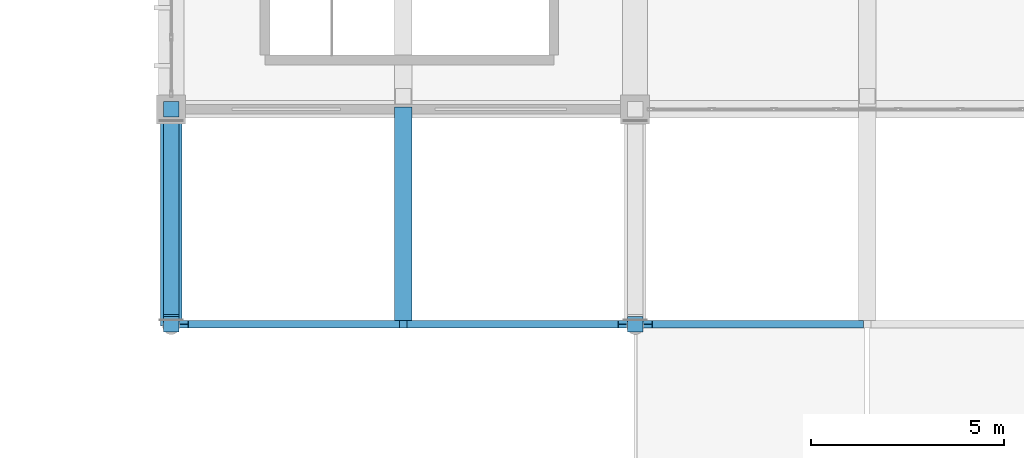
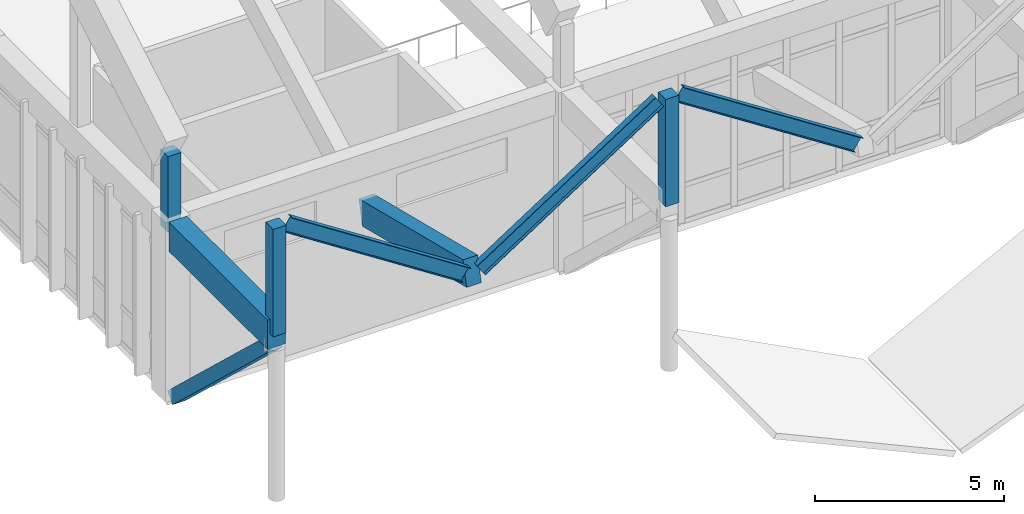
# One storey, part 27 of 236: 5 beams, 4 members.
"""IFC4 building model written with IfcOpenShell, lengths in metres."""

from ifc_helpers import new_model, si_unit, direction, frame, origin, origin_2d, place, context, subcontext, project, spatial, rectangle, i_section, extrude, material, material_profile, profile_set, type_object, element, save


model = new_model("IFC4")

# Units and contexts
model_context = context("Model", 3, precision=1e-05, world=origin(), true_north=direction((0.0, 1.0)))
body_context = subcontext(model_context, "Body", "Model", "MODEL_VIEW")
ifc_project = project(units=[si_unit("LENGTHUNIT", "METRE"), si_unit("AREAUNIT", "SQUARE_METRE"), si_unit("VOLUMEUNIT", "CUBIC_METRE"), si_unit("PLANEANGLEUNIT", "RADIAN"), si_unit("MASSUNIT", "GRAM", prefix="KILO")], contexts=[model_context])

# Site, building, storey
site_placement = place(None, origin())
site = spatial("IfcSite", under=ifc_project, at=site_placement, CompositionType="ELEMENT")
building_placement = place(site_placement, origin())
building = spatial("IfcBuilding", under=site, at=building_placement, Name="Pandanus Reach Market Hall", CompositionType="ELEMENT")
storey_placement = place(building_placement, frame((0.0, 0.0, 5.39990234375)))
storey = spatial("IfcBuildingStorey", under=building, at=storey_placement, Name="L01", CompositionType="ELEMENT", Elevation=5.39990234375)

# Members
ifc_material_1 = material(Name="Concrete N50 (50 MPa)", Category="concrete")
ifc_material_profile_1 = material_profile(ifc_material_1, rectangle(XDim=0.39990234375, YDim=0.39990234375, at=origin_2d()), Name="RC400x400", Category="LoadBearing")
ifc_profile_set_1 = profile_set([ifc_material_profile_1], Name="Concrete N50 (50 MPa)")
member_type_1 = type_object("IfcMemberType", Name="AR-WEB400-E", PredefinedType="STRUT", material=ifc_profile_set_1)
member_1_placement = place(storey_placement, frame((48.0, 28.800048828125, 5.3251953125), z_axis=(0.0, 0.0, 1.0), x_axis=(1.0, 0.0, 0.0)))
element("IfcMember", 1, at=member_1_placement, inside=storey, type_object=member_type_1, Name="Arch springing concrete strut A1.S", PredefinedType="STRUT", context=body_context, shape_type="SweptSolid", body=[
    extrude(rectangle(XDim=0.39990234375, YDim=0.39990234375, at=origin_2d()), origin(), (0.0, 0.0, 1.0), 2.454833984375),
])
for number, where, z_axis, x_axis, name in (
    (2, (48.0, 23.239990234375, 5.3251953125), (0.0, 0.0, 1.0), (1.0, 0.0, 0.0), "Zigzag eaves ridge post A1.S"),
    (3, (60.0, 23.239990234375, 5.3251953125), (0.0, 0.0, 1.0), (1.0, 0.0, 0.0), "Zigzag eaves ridge post A2.S"),
):
    element("IfcMember", number, at=place(storey_placement, frame(where, z_axis=z_axis, x_axis=x_axis)), inside=storey, type_object=member_type_1, Name=name, PredefinedType="STRUT", context=body_context, shape_type="SweptSolid", body=[
        extrude(rectangle(XDim=0.39990234375, YDim=0.39990234375, at=origin_2d()), origin(), (0.0, 0.0, 1.0), 3.474853515625),
    ])

# Beams
ifc_material_2 = material(Name="Concrete N40 (40 MPa)", Category="concrete")
ifc_material_profile_2 = material_profile(ifc_material_2, rectangle(XDim=0.449951171875, YDim=0.800048828125, at=origin_2d()), Name="RC450x800", Category="LoadBearing")
ifc_profile_set_2 = profile_set([ifc_material_profile_2], Name="Concrete N40 (40 MPa)")
beam_type_1 = type_object("IfcBeamType", Name="BM-RC450-I", PredefinedType="BEAM", material=ifc_profile_set_2)
beam_1_placement = place(storey_placement, frame((54.0, 23.239990234375, 5.16015625), z_axis=(0.0, 0.97055017704, -0.240899053231), x_axis=(-1.0, 0.0, 0.0)))
element("IfcBeam", 4, at=beam_1_placement, inside=storey, type_object=beam_type_1, Name="Butterfly valley beam B1.1", PredefinedType="BEAM", context=body_context, shape_type="SweptSolid", body=[
    extrude(rectangle(XDim=0.449951171875, YDim=0.800048828125, at=origin_2d()), origin(), (0.0, 0.0, 1.0), 5.6875),
])
ifc_material_profile_3 = material_profile(ifc_material_1, rectangle(XDim=0.550048828125, YDim=0.949951171875, at=origin_2d()), Name="RC550x950", Category="LoadBearing")
ifc_profile_set_3 = profile_set([ifc_material_profile_3], Name="Concrete N50 (50 MPa)")
beam_type_2 = type_object("IfcBeamType", Name="BM-RC550-E", PredefinedType="BEAM", material=ifc_profile_set_3)
beam_2_placement = place(storey_placement, frame((48.0, 23.199951171875, 5.3251953125), z_axis=(0.0, 1.0, 0.0), x_axis=(-1.0, 0.0, 0.0)))
element("IfcBeam", 5, at=beam_2_placement, inside=storey, type_object=beam_type_2, Name="Zigzag south eaves cantilever girder A1", PredefinedType="BEAM", context=body_context, shape_type="SweptSolid", body=[
    extrude(rectangle(XDim=0.550048828125, YDim=0.949951171875, at=origin_2d()), origin(), (0.0, 0.0, 1.0), 5.22998046875),
])
ifc_material_3 = material(Name="Steel Grade 350 (350 MPa)", Category="steel")
ifc_material_profile_4 = material_profile(ifc_material_3, i_section(OverallWidth=0.18994140625, OverallDepth=0.45703125, WebThickness=0.009033203125, FlangeThickness=0.014404296875, at=origin_2d()), Name="460UB74.6", Category="LoadBearing")
ifc_profile_set_4 = profile_set([ifc_material_profile_4], Name="Steel Grade 350 (350 MPa)")
beam_type_3 = type_object("IfcBeamType", Name="BM-UB460-E", PredefinedType="BEAM", material=ifc_profile_set_4)
for number, where, z_axis, x_axis, name in (
    (6, (48.320068359375, 23.239990234375, 8.7001953125), (0.839070527962, 0.0, -0.544022654956), (0.0, 1.0, 0.0), "Butterfly south fringe rib B1.0L"),
    (7, (54.219970703125, 23.239990234375, 5.16015625), (0.839070527962, 0.0, 0.544022654956), (0.0, 1.0, 0.0), "Butterfly south fringe rib B1.0R"),
    (8, (60.320068359375, 23.239990234375, 8.7001953125), (0.839070527962, 0.0, -0.544022654956), (0.0, 1.0, 0.0), "Butterfly south fringe rib B2.0L"),
):
    element("IfcBeam", number, at=place(storey_placement, frame(where, z_axis=z_axis, x_axis=x_axis)), inside=storey, type_object=beam_type_3, Name=name, PredefinedType="BEAM", context=body_context, shape_type="SweptSolid", body=[
        extrude(i_section(OverallWidth=0.18994140625, OverallDepth=0.45703125, WebThickness=0.009033203125, FlangeThickness=0.014404296875, at=origin_2d()), origin(), (0.0, 0.0, 1.0), 6.507080078125),
    ])

# Member
ifc_material_profile_5 = material_profile(ifc_material_1, rectangle(XDim=0.39990234375, YDim=0.39990234375, at=origin_2d()), Name="RC400x400", Category="LoadBearing")
ifc_profile_set_5 = profile_set([ifc_material_profile_5], Name="Concrete N50 (50 MPa)")
member_type_2 = type_object("IfcMemberType", Name="VS-RC400-E", PredefinedType="STRUT", material=ifc_profile_set_5)
member_2_placement = place(storey_placement, frame((48.0, 28.5, 0.050048828125), z_axis=(0.0, -0.72797908325, 0.68559933952), x_axis=(1.0, 0.0, 0.0)))
element("IfcMember", 9, at=member_2_placement, inside=storey, type_object=member_type_2, Name="Splayed concrete south arcade V-strut A1.1", PredefinedType="STRUT", context=body_context, shape_type="SweptSolid", body=[
    extrude(rectangle(XDim=0.39990234375, YDim=0.39990234375, at=origin_2d()), origin(), (0.0, 0.0, 1.0), 7.07421875),
])

save(model, "model.ifc")
